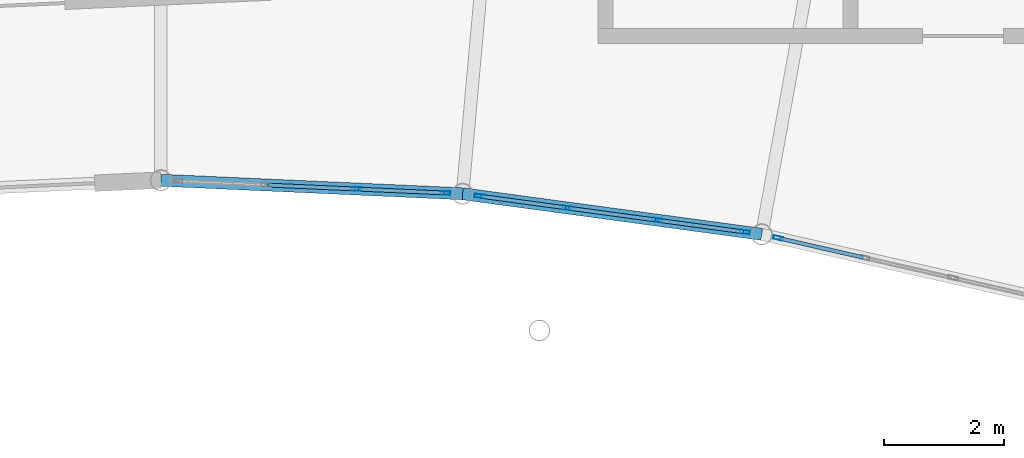
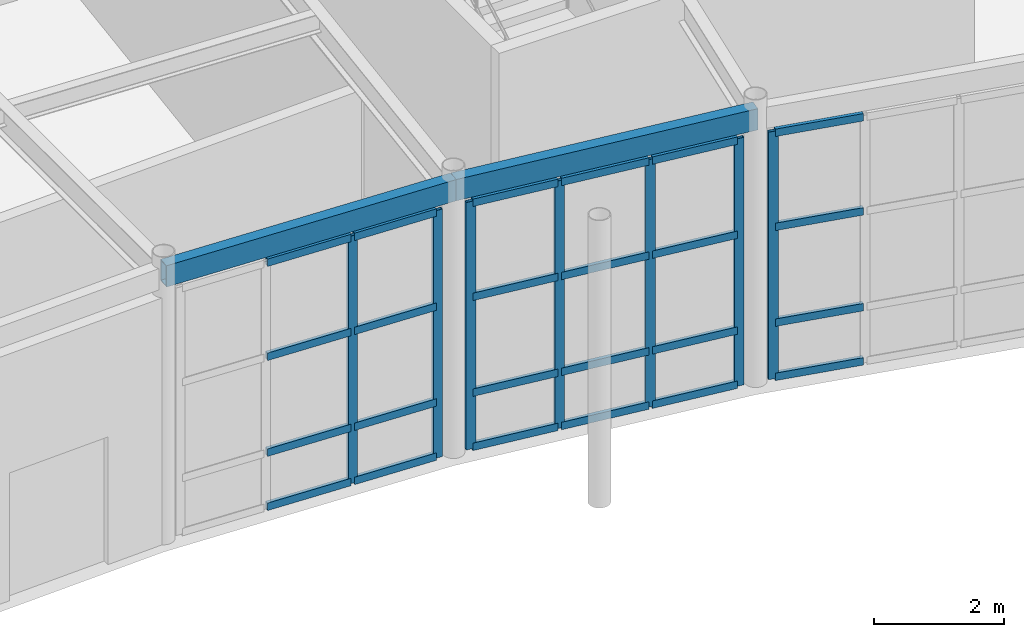
# One storey, part 48 of 87: 31 members, 2 beams, 3 elements without a shape of their own.
"""IFC4 building model written with IfcOpenShell, lengths in metres."""

from ifc_helpers import new_model, si_unit, direction, frame, origin, origin_2d, place, context, subcontext, project, spatial, hollow_rectangle, extrude, material, layer, layer_set, material_profile, profile_set, type_object, element, aggregate, save


model = new_model("IFC4")

# Units and contexts
model_context = context("Model", 3, precision=1e-05, world=origin(), true_north=direction((0.0, 1.0)))
body_context = subcontext(model_context, "Body", "Model", "MODEL_VIEW")
ifc_project = project(units=[si_unit("LENGTHUNIT", "METRE"), si_unit("AREAUNIT", "SQUARE_METRE"), si_unit("VOLUMEUNIT", "CUBIC_METRE"), si_unit("PLANEANGLEUNIT", "RADIAN"), si_unit("MASSUNIT", "GRAM", prefix="KILO")], contexts=[model_context])

# Site, building, storey
site_placement = place(None, origin())
site = spatial("IfcSite", under=ifc_project, at=site_placement, CompositionType="ELEMENT")
building_placement = place(site_placement, origin())
building = spatial("IfcBuilding", under=site, at=building_placement, Name="Selat Folded Stagehouse", CompositionType="ELEMENT")
storey_placement = place(building_placement, origin())
storey = spatial("IfcBuildingStorey", under=building, at=storey_placement, Name="L00", CompositionType="ELEMENT", Elevation=0.0)

# Curtain wall, members
ifc_material_1 = material(Name="Aluminium 6063-T6", Category="aluminium")
ifc_layer = layer(ifc_material_1, 0.18994140625)
ifc_layer_set = layer_set([ifc_layer], Name="Aluminium 6063-T6")
curtain_wall_type = type_object("IfcCurtainWallType", Name="CW-REH-ARC", PredefinedType="NOTDEFINED", material=ifc_layer_set)
curtain_wall_1_placement = place(storey_placement, origin())
curtain_wall_1 = element("IfcCurtainWall", 1, at=curtain_wall_1_placement, inside=storey, type_object=curtain_wall_type, Name="L00 curtain wall CW-REH-L00-07", PredefinedType="NOTDEFINED")
ifc_material_profile_1 = material_profile(ifc_material_1, hollow_rectangle(XDim=0.06005859375, YDim=0.159912109375, WallThickness=0.00390625, at=origin_2d()), Name="ALU 160x60x4.0")
ifc_profile_set_1 = profile_set([ifc_material_profile_1], Name="Aluminium 6063-T6")
member_type_1 = type_object("IfcMemberType", Name="CWM-MUL-160x60", PredefinedType="MULLION", material=ifc_profile_set_1)
member_1_placement = place(storey_placement, frame((97.14013671875, 93.787109375, 0.0), z_axis=(0.0, 0.0, 1.0), x_axis=(-0.044862316478, -0.998993179436, 0.0)))
member_1 = element("IfcMember", 2, at=member_1_placement, type_object=member_type_1, Name="CW-06 mullion 1", PredefinedType="MULLION", context=body_context, shape_type="SweptSolid", body=[
    extrude(hollow_rectangle(XDim=0.06005859375, YDim=0.159912109375, WallThickness=0.00390625, at=origin_2d()), origin(), (0.0, 0.0, 1.0), 4.64990234375),
])
member_2_placement = place(storey_placement, frame((95.663330078125, 93.853515625, 0.0), z_axis=(0.0, 0.0, 1.0), x_axis=(-0.044862316478, -0.998993179436, 0.0)))
member_2 = element("IfcMember", 3, at=member_2_placement, type_object=member_type_1, Name="CW-06 mullion 2", PredefinedType="MULLION", context=body_context, shape_type="SweptSolid", body=[
    extrude(hollow_rectangle(XDim=0.06005859375, YDim=0.159912109375, WallThickness=0.00390625, at=origin_2d()), origin(), (0.0, 0.0, 1.0), 4.64990234375),
])

curtain_wall_2_placement = place(storey_placement, origin())
curtain_wall_2 = element("IfcCurtainWall", 4, at=curtain_wall_2_placement, inside=storey, type_object=curtain_wall_type, Name="L00 curtain wall CW-REH-L00-08", PredefinedType="NOTDEFINED")
member_3_placement = place(storey_placement, frame((102.121826171875, 93.1376953125, 0.0), z_axis=(0.0, 0.0, 1.0), x_axis=(-0.134211766018, -0.990952673876, 0.0)))
member_3 = element("IfcMember", 5, at=member_3_placement, type_object=member_type_1, Name="CW-06 mullion 1", PredefinedType="MULLION", context=body_context, shape_type="SweptSolid", body=[
    extrude(hollow_rectangle(XDim=0.06005859375, YDim=0.159912109375, WallThickness=0.00390625, at=origin_2d()), origin(), (0.0, 0.0, 1.0), 4.64990234375),
])
member_4_placement = place(storey_placement, frame((100.65673828125, 93.336181640625, 0.0), z_axis=(0.0, 0.0, 1.0), x_axis=(-0.134211766018, -0.990952673876, 0.0)))
member_4 = element("IfcMember", 6, at=member_4_placement, type_object=member_type_1, Name="CW-06 mullion 2", PredefinedType="MULLION", context=body_context, shape_type="SweptSolid", body=[
    extrude(hollow_rectangle(XDim=0.06005859375, YDim=0.159912109375, WallThickness=0.00390625, at=origin_2d()), origin(), (0.0, 0.0, 1.0), 4.64990234375),
])
member_5_placement = place(storey_placement, frame((99.162109375, 93.53857421875, 0.0), z_axis=(0.0, 0.0, 1.0), x_axis=(-0.134211766018, -0.990952673876, 0.0)))
member_5 = element("IfcMember", 7, at=member_5_placement, type_object=member_type_1, Name="CW-06 mullion 3", PredefinedType="MULLION", context=body_context, shape_type="SweptSolid", body=[
    extrude(hollow_rectangle(XDim=0.06005859375, YDim=0.159912109375, WallThickness=0.00390625, at=origin_2d()), origin(), (0.0, 0.0, 1.0), 4.64990234375),
])
member_6_placement = place(storey_placement, frame((97.697265625, 93.737060546875, 0.0), z_axis=(0.0, 0.0, 1.0), x_axis=(-0.134211766018, -0.990952673876, 0.0)))
member_6 = element("IfcMember", 8, at=member_6_placement, type_object=member_type_1, Name="CW-06 mullion 4", PredefinedType="MULLION", context=body_context, shape_type="SweptSolid", body=[
    extrude(hollow_rectangle(XDim=0.06005859375, YDim=0.159912109375, WallThickness=0.00390625, at=origin_2d()), origin(), (0.0, 0.0, 1.0), 4.64990234375),
])

# Curtain wall, member
curtain_wall_3_placement = place(storey_placement, origin())
curtain_wall_3 = element("IfcCurtainWall", 9, at=curtain_wall_3_placement, inside=storey, type_object=curtain_wall_type, Name="L00 curtain wall CW-REH-L00-09", PredefinedType="NOTDEFINED")
member_7_placement = place(storey_placement, frame((102.672119140625, 93.037841796875, 0.0), z_axis=(0.0, 0.0, 1.0), x_axis=(-0.222542761079, -0.974922930026, 0.0)))
member_7 = element("IfcMember", 10, at=member_7_placement, type_object=member_type_1, Name="CW-06 mullion 4", PredefinedType="MULLION", context=body_context, shape_type="SweptSolid", body=[
    extrude(hollow_rectangle(XDim=0.06005859375, YDim=0.159912109375, WallThickness=0.00390625, at=origin_2d()), origin(), (0.0, 0.0, 1.0), 4.64990234375),
])

# Member
ifc_material_profile_2 = material_profile(ifc_material_1, hollow_rectangle(XDim=0.06494140625, YDim=0.139892578125, WallThickness=0.00390625, at=origin_2d()), Name="ALU 140x65x4.0")
ifc_profile_set_2 = profile_set([ifc_material_profile_2], Name="Aluminium 6063-T6")
member_type_2 = type_object("IfcMemberType", Name="CWM-TRN-140x65", PredefinedType="USERDEFINED", material=ifc_profile_set_2)
member_8_placement = place(storey_placement, frame((97.110107421875, 93.78857421875, 0.032470703125), z_axis=(-0.998997791005, 0.044759508127, 0.0), x_axis=(-0.044759508127, -0.998997791005, 0.0)))
member_8 = element("IfcMember", 11, at=member_8_placement, type_object=member_type_2, Name="CW-06 transom 1.1", ObjectType="TRANSOM", PredefinedType="USERDEFINED", context=body_context, shape_type="SweptSolid", body=[
    extrude(hollow_rectangle(XDim=0.06494140625, YDim=0.139892578125, WallThickness=0.00390625, at=origin_2d()), origin(), (0.0, 0.0, 1.0), 1.418212890625),
])

member_9_placement = place(storey_placement, frame((97.110107421875, 93.78857421875, 1.050048828125), z_axis=(-0.998997791005, 0.044759508127, 0.0), x_axis=(-0.044759508127, -0.998997791005, 0.0)))
member_9 = element("IfcMember", 12, at=member_9_placement, type_object=member_type_2, Name="CW-06 transom 1.2", ObjectType="TRANSOM", PredefinedType="USERDEFINED", context=body_context, shape_type="SweptSolid", body=[
    extrude(hollow_rectangle(XDim=0.06494140625, YDim=0.139892578125, WallThickness=0.00390625, at=origin_2d()), origin(), (0.0, 0.0, 1.0), 1.418212890625),
])

member_10_placement = place(storey_placement, frame((97.110107421875, 93.78857421875, 2.85009765625), z_axis=(-0.998997791005, 0.044759508127, 0.0), x_axis=(-0.044759508127, -0.998997791005, 0.0)))
member_10 = element("IfcMember", 13, at=member_10_placement, type_object=member_type_2, Name="CW-06 transom 1.3", ObjectType="TRANSOM", PredefinedType="USERDEFINED", context=body_context, shape_type="SweptSolid", body=[
    extrude(hollow_rectangle(XDim=0.06494140625, YDim=0.139892578125, WallThickness=0.00390625, at=origin_2d()), origin(), (0.0, 0.0, 1.0), 1.418212890625),
])

member_11_placement = place(storey_placement, frame((97.110107421875, 93.78857421875, 4.617431640625), z_axis=(-0.998997791005, 0.044759508127, 0.0), x_axis=(-0.044759508127, -0.998997791005, 0.0)))
member_11 = element("IfcMember", 14, at=member_11_placement, type_object=member_type_2, Name="CW-06 transom 1.4", ObjectType="TRANSOM", PredefinedType="USERDEFINED", context=body_context, shape_type="SweptSolid", body=[
    extrude(hollow_rectangle(XDim=0.06494140625, YDim=0.139892578125, WallThickness=0.00390625, at=origin_2d()), origin(), (0.0, 0.0, 1.0), 1.418212890625),
])

member_12_placement = place(storey_placement, frame((95.63330078125, 93.854736328125, 0.032470703125), z_axis=(-0.998994101144, 0.044841787193, 0.0), x_axis=(-0.044841787193, -0.998994101144, 0.0)))
member_12 = element("IfcMember", 15, at=member_12_placement, type_object=member_type_2, Name="CW-06 transom 2.1", ObjectType="TRANSOM", PredefinedType="USERDEFINED", context=body_context, shape_type="SweptSolid", body=[
    extrude(hollow_rectangle(XDim=0.06494140625, YDim=0.139892578125, WallThickness=0.00390625, at=origin_2d()), origin(), (0.0, 0.0, 1.0), 1.4482421875),
])

member_13_placement = place(storey_placement, frame((95.63330078125, 93.854736328125, 1.050048828125), z_axis=(-0.998994101144, 0.044841787193, 0.0), x_axis=(-0.044841787193, -0.998994101144, 0.0)))
member_13 = element("IfcMember", 16, at=member_13_placement, type_object=member_type_2, Name="CW-06 transom 2.2", ObjectType="TRANSOM", PredefinedType="USERDEFINED", context=body_context, shape_type="SweptSolid", body=[
    extrude(hollow_rectangle(XDim=0.06494140625, YDim=0.139892578125, WallThickness=0.00390625, at=origin_2d()), origin(), (0.0, 0.0, 1.0), 1.4482421875),
])

member_14_placement = place(storey_placement, frame((95.63330078125, 93.854736328125, 2.85009765625), z_axis=(-0.998994101144, 0.044841787193, 0.0), x_axis=(-0.044841787193, -0.998994101144, 0.0)))
member_14 = element("IfcMember", 17, at=member_14_placement, type_object=member_type_2, Name="CW-06 transom 2.3", ObjectType="TRANSOM", PredefinedType="USERDEFINED", context=body_context, shape_type="SweptSolid", body=[
    extrude(hollow_rectangle(XDim=0.06494140625, YDim=0.139892578125, WallThickness=0.00390625, at=origin_2d()), origin(), (0.0, 0.0, 1.0), 1.4482421875),
])

member_15_placement = place(storey_placement, frame((95.63330078125, 93.854736328125, 4.617431640625), z_axis=(-0.998994101144, 0.044841787193, 0.0), x_axis=(-0.044841787193, -0.998994101144, 0.0)))
member_15 = element("IfcMember", 18, at=member_15_placement, type_object=member_type_2, Name="CW-06 transom 2.4", ObjectType="TRANSOM", PredefinedType="USERDEFINED", context=body_context, shape_type="SweptSolid", body=[
    extrude(hollow_rectangle(XDim=0.06494140625, YDim=0.139892578125, WallThickness=0.00390625, at=origin_2d()), origin(), (0.0, 0.0, 1.0), 1.4482421875),
])

aggregate(curtain_wall_1, [member_1, member_2, member_8, member_9, member_10, member_11, member_12, member_13, member_14, member_15])

member_16_placement = place(storey_placement, frame((102.092041015625, 93.141845703125, 0.032470703125), z_axis=(-0.990968953763, 0.134091508595, 0.0), x_axis=(-0.134091508595, -0.990968953763, 0.0)))
member_16 = element("IfcMember", 19, at=member_16_placement, type_object=member_type_2, Name="CW-06 transom 1.1", ObjectType="TRANSOM", PredefinedType="USERDEFINED", context=body_context, shape_type="SweptSolid", body=[
    extrude(hollow_rectangle(XDim=0.06494140625, YDim=0.139892578125, WallThickness=0.00390625, at=origin_2d()), origin(), (0.0, 0.0, 1.0), 1.418212890625),
])

member_17_placement = place(storey_placement, frame((102.092041015625, 93.141845703125, 1.050048828125), z_axis=(-0.990968953763, 0.134091508595, 0.0), x_axis=(-0.134091508595, -0.990968953763, 0.0)))
member_17 = element("IfcMember", 20, at=member_17_placement, type_object=member_type_2, Name="CW-06 transom 1.2", ObjectType="TRANSOM", PredefinedType="USERDEFINED", context=body_context, shape_type="SweptSolid", body=[
    extrude(hollow_rectangle(XDim=0.06494140625, YDim=0.139892578125, WallThickness=0.00390625, at=origin_2d()), origin(), (0.0, 0.0, 1.0), 1.418212890625),
])

member_18_placement = place(storey_placement, frame((102.092041015625, 93.141845703125, 2.85009765625), z_axis=(-0.990968953763, 0.134091508595, 0.0), x_axis=(-0.134091508595, -0.990968953763, 0.0)))
member_18 = element("IfcMember", 21, at=member_18_placement, type_object=member_type_2, Name="CW-06 transom 1.3", ObjectType="TRANSOM", PredefinedType="USERDEFINED", context=body_context, shape_type="SweptSolid", body=[
    extrude(hollow_rectangle(XDim=0.06494140625, YDim=0.139892578125, WallThickness=0.00390625, at=origin_2d()), origin(), (0.0, 0.0, 1.0), 1.418212890625),
])

member_19_placement = place(storey_placement, frame((102.092041015625, 93.141845703125, 4.617431640625), z_axis=(-0.990968953763, 0.134091508595, 0.0), x_axis=(-0.134091508595, -0.990968953763, 0.0)))
member_19 = element("IfcMember", 22, at=member_19_placement, type_object=member_type_2, Name="CW-06 transom 1.4", ObjectType="TRANSOM", PredefinedType="USERDEFINED", context=body_context, shape_type="SweptSolid", body=[
    extrude(hollow_rectangle(XDim=0.06494140625, YDim=0.139892578125, WallThickness=0.00390625, at=origin_2d()), origin(), (0.0, 0.0, 1.0), 1.418212890625),
])

member_20_placement = place(storey_placement, frame((100.627197265625, 93.340087890625, 0.032470703125), z_axis=(-0.990957936125, 0.134172906473, 0.0), x_axis=(-0.134172906473, -0.990957936125, 0.0)))
member_20 = element("IfcMember", 23, at=member_20_placement, type_object=member_type_2, Name="CW-06 transom 2.1", ObjectType="TRANSOM", PredefinedType="USERDEFINED", context=body_context, shape_type="SweptSolid", body=[
    extrude(hollow_rectangle(XDim=0.06494140625, YDim=0.139892578125, WallThickness=0.00390625, at=origin_2d()), origin(), (0.0, 0.0, 1.0), 1.448486328125),
])

member_21_placement = place(storey_placement, frame((100.627197265625, 93.340087890625, 1.050048828125), z_axis=(-0.990957936125, 0.134172906473, 0.0), x_axis=(-0.134172906473, -0.990957936125, 0.0)))
member_21 = element("IfcMember", 24, at=member_21_placement, type_object=member_type_2, Name="CW-06 transom 2.2", ObjectType="TRANSOM", PredefinedType="USERDEFINED", context=body_context, shape_type="SweptSolid", body=[
    extrude(hollow_rectangle(XDim=0.06494140625, YDim=0.139892578125, WallThickness=0.00390625, at=origin_2d()), origin(), (0.0, 0.0, 1.0), 1.448486328125),
])

member_22_placement = place(storey_placement, frame((100.627197265625, 93.340087890625, 2.85009765625), z_axis=(-0.990957936125, 0.134172906473, 0.0), x_axis=(-0.134172906473, -0.990957936125, 0.0)))
member_22 = element("IfcMember", 25, at=member_22_placement, type_object=member_type_2, Name="CW-06 transom 2.3", ObjectType="TRANSOM", PredefinedType="USERDEFINED", context=body_context, shape_type="SweptSolid", body=[
    extrude(hollow_rectangle(XDim=0.06494140625, YDim=0.139892578125, WallThickness=0.00390625, at=origin_2d()), origin(), (0.0, 0.0, 1.0), 1.448486328125),
])

member_23_placement = place(storey_placement, frame((100.627197265625, 93.340087890625, 4.617431640625), z_axis=(-0.990957936125, 0.134172906473, 0.0), x_axis=(-0.134172906473, -0.990957936125, 0.0)))
member_23 = element("IfcMember", 26, at=member_23_placement, type_object=member_type_2, Name="CW-06 transom 2.4", ObjectType="TRANSOM", PredefinedType="USERDEFINED", context=body_context, shape_type="SweptSolid", body=[
    extrude(hollow_rectangle(XDim=0.06494140625, YDim=0.139892578125, WallThickness=0.00390625, at=origin_2d()), origin(), (0.0, 0.0, 1.0), 1.448486328125),
])

member_24_placement = place(storey_placement, frame((99.13232421875, 93.54248046875, 0.032470703125), z_axis=(-0.990942963198, 0.134283445326, 0.0), x_axis=(-0.134283445326, -0.990942963198, 0.0)))
member_24 = element("IfcMember", 27, at=member_24_placement, type_object=member_type_2, Name="CW-06 transom 3.1", ObjectType="TRANSOM", PredefinedType="USERDEFINED", context=body_context, shape_type="SweptSolid", body=[
    extrude(hollow_rectangle(XDim=0.06494140625, YDim=0.139892578125, WallThickness=0.00390625, at=origin_2d()), origin(), (0.0, 0.0, 1.0), 1.418212890625),
])

member_25_placement = place(storey_placement, frame((99.13232421875, 93.54248046875, 1.050048828125), z_axis=(-0.990942963198, 0.134283445326, 0.0), x_axis=(-0.134283445326, -0.990942963198, 0.0)))
member_25 = element("IfcMember", 28, at=member_25_placement, type_object=member_type_2, Name="CW-06 transom 3.2", ObjectType="TRANSOM", PredefinedType="USERDEFINED", context=body_context, shape_type="SweptSolid", body=[
    extrude(hollow_rectangle(XDim=0.06494140625, YDim=0.139892578125, WallThickness=0.00390625, at=origin_2d()), origin(), (0.0, 0.0, 1.0), 1.418212890625),
])

member_26_placement = place(storey_placement, frame((99.13232421875, 93.54248046875, 2.85009765625), z_axis=(-0.990942963198, 0.134283445326, 0.0), x_axis=(-0.134283445326, -0.990942963198, 0.0)))
member_26 = element("IfcMember", 29, at=member_26_placement, type_object=member_type_2, Name="CW-06 transom 3.3", ObjectType="TRANSOM", PredefinedType="USERDEFINED", context=body_context, shape_type="SweptSolid", body=[
    extrude(hollow_rectangle(XDim=0.06494140625, YDim=0.139892578125, WallThickness=0.00390625, at=origin_2d()), origin(), (0.0, 0.0, 1.0), 1.418212890625),
])

member_27_placement = place(storey_placement, frame((99.13232421875, 93.54248046875, 4.617431640625), z_axis=(-0.990942963198, 0.134283445326, 0.0), x_axis=(-0.134283445326, -0.990942963198, 0.0)))
member_27 = element("IfcMember", 30, at=member_27_placement, type_object=member_type_2, Name="CW-06 transom 3.4", ObjectType="TRANSOM", PredefinedType="USERDEFINED", context=body_context, shape_type="SweptSolid", body=[
    extrude(hollow_rectangle(XDim=0.06494140625, YDim=0.139892578125, WallThickness=0.00390625, at=origin_2d()), origin(), (0.0, 0.0, 1.0), 1.418212890625),
])

aggregate(curtain_wall_2, [member_3, member_4, member_5, member_6, member_16, member_17, member_18, member_19, member_20, member_21, member_22, member_23, member_24, member_25, member_26, member_27])

member_28_placement = place(storey_placement, frame((104.084228515625, 92.715576171875, 0.032470703125), z_axis=(-0.974919361771, 0.222558392438, 0.0), x_axis=(-0.222558392438, -0.974919361771, 0.0)))
member_28 = element("IfcMember", 31, at=member_28_placement, type_object=member_type_2, Name="CW-06 transom 3.1", ObjectType="TRANSOM", PredefinedType="USERDEFINED", context=body_context, shape_type="SweptSolid", body=[
    extrude(hollow_rectangle(XDim=0.06494140625, YDim=0.139892578125, WallThickness=0.00390625, at=origin_2d()), origin(), (0.0, 0.0, 1.0), 1.41845703125),
])

member_29_placement = place(storey_placement, frame((104.084228515625, 92.715576171875, 1.050048828125), z_axis=(-0.974919361771, 0.222558392438, 0.0), x_axis=(-0.222558392438, -0.974919361771, 0.0)))
member_29 = element("IfcMember", 32, at=member_29_placement, type_object=member_type_2, Name="CW-06 transom 3.2", ObjectType="TRANSOM", PredefinedType="USERDEFINED", context=body_context, shape_type="SweptSolid", body=[
    extrude(hollow_rectangle(XDim=0.06494140625, YDim=0.139892578125, WallThickness=0.00390625, at=origin_2d()), origin(), (0.0, 0.0, 1.0), 1.41845703125),
])

member_30_placement = place(storey_placement, frame((104.084228515625, 92.715576171875, 2.85009765625), z_axis=(-0.974919361771, 0.222558392438, 0.0), x_axis=(-0.222558392438, -0.974919361771, 0.0)))
member_30 = element("IfcMember", 33, at=member_30_placement, type_object=member_type_2, Name="CW-06 transom 3.3", ObjectType="TRANSOM", PredefinedType="USERDEFINED", context=body_context, shape_type="SweptSolid", body=[
    extrude(hollow_rectangle(XDim=0.06494140625, YDim=0.139892578125, WallThickness=0.00390625, at=origin_2d()), origin(), (0.0, 0.0, 1.0), 1.41845703125),
])

member_31_placement = place(storey_placement, frame((104.084228515625, 92.715576171875, 4.617431640625), z_axis=(-0.974919361771, 0.222558392438, 0.0), x_axis=(-0.222558392438, -0.974919361771, 0.0)))
member_31 = element("IfcMember", 34, at=member_31_placement, type_object=member_type_2, Name="CW-06 transom 3.4", ObjectType="TRANSOM", PredefinedType="USERDEFINED", context=body_context, shape_type="SweptSolid", body=[
    extrude(hollow_rectangle(XDim=0.06494140625, YDim=0.139892578125, WallThickness=0.00390625, at=origin_2d()), origin(), (0.0, 0.0, 1.0), 1.41845703125),
])

aggregate(curtain_wall_3, [member_7, member_28, member_29, member_30, member_31])

# Beams
ifc_material_2 = material(Name="Steel S355", Category="steel")
ifc_material_profile_3 = material_profile(ifc_material_2, hollow_rectangle(XDim=0.199951171875, YDim=0.39990234375, WallThickness=0.012451171875, at=origin_2d()), Name="RHS 400x200x12.5")
ifc_profile_set_3 = profile_set([ifc_material_profile_3], Name="Steel S355")
beam_type = type_object("IfcBeamType", Name="SPD-EXT-400x200", PredefinedType="SPANDREL", material=ifc_profile_set_3)
beam_1_placement = place(storey_placement, frame((92.39990234375, 94.0, 4.97998046875), z_axis=(0.998994025486, -0.044843472693, 0.0), x_axis=(0.044843472693, 0.998994025486, 0.0)))
element("IfcBeam", 35, at=beam_1_placement, inside=storey, type_object=beam_type, Name="L00 inner curved rehearsal spandrel 8", PredefinedType="SPANDREL", context=body_context, shape_type="SweptSolid", body=[
    extrude(hollow_rectangle(XDim=0.199951171875, YDim=0.39990234375, WallThickness=0.012451171875, at=origin_2d()), origin(), (0.0, 0.0, 1.0), 5.025146484375),
])
beam_2_placement = place(storey_placement, frame((97.419921875, 93.774658203125, 4.97998046875), z_axis=(0.9909477611, -0.134248034514, 0.0), x_axis=(0.134248034514, 0.9909477611, 0.0)))
element("IfcBeam", 36, at=beam_2_placement, inside=storey, type_object=beam_type, Name="L00 inner curved rehearsal spandrel 9", PredefinedType="SPANDREL", context=body_context, shape_type="SweptSolid", body=[
    extrude(hollow_rectangle(XDim=0.199951171875, YDim=0.39990234375, WallThickness=0.012451171875, at=origin_2d()), origin(), (0.0, 0.0, 1.0), 5.024658203125),
])

save(model, "model.ifc")
